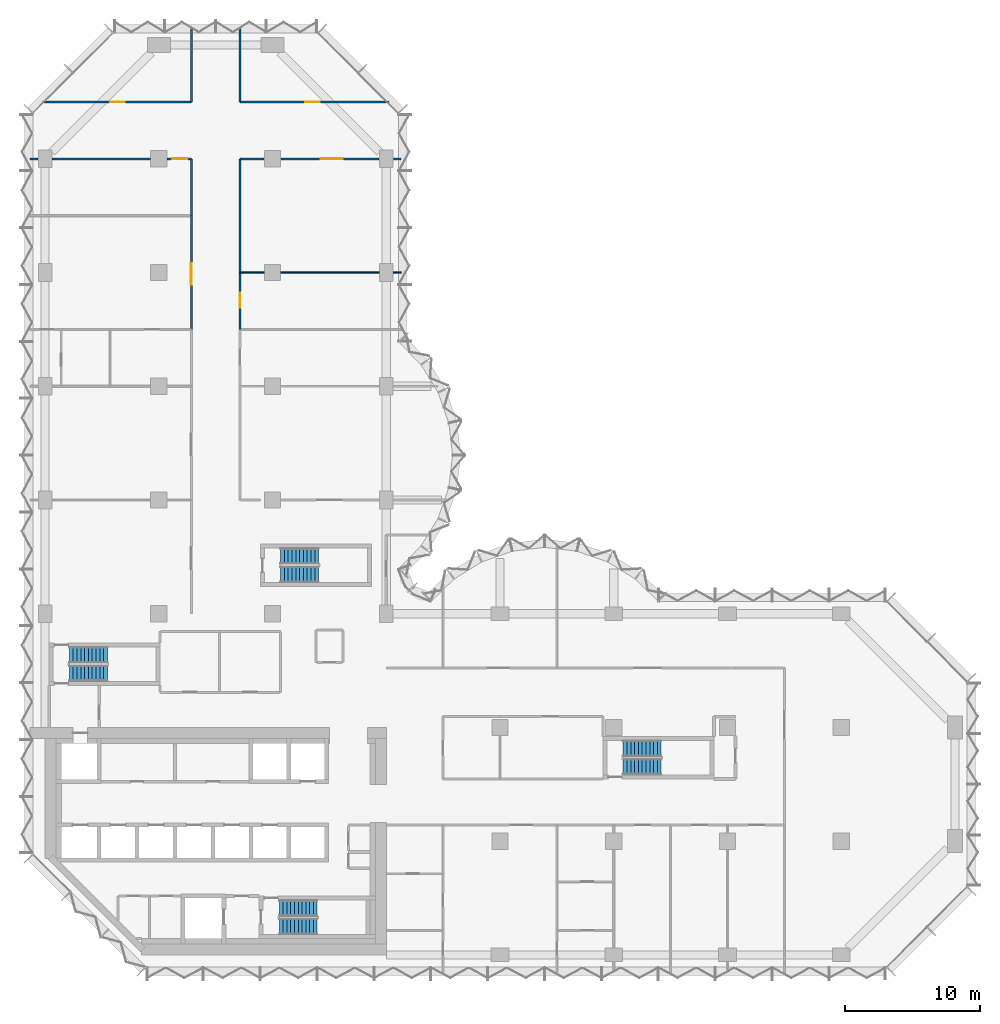
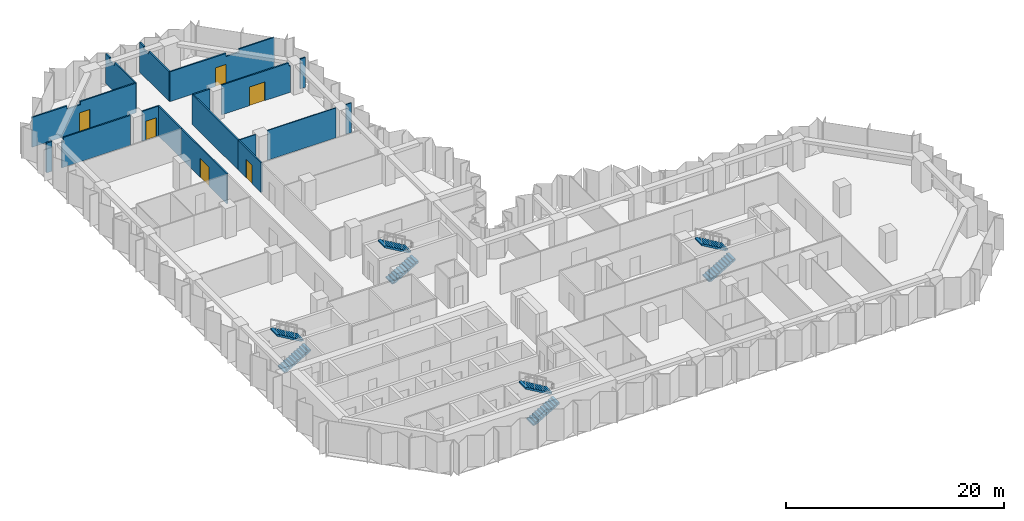
# One storey, part 11 of 13: 17 walls, 8 stair flights, 6 doors, 6 openings, 4 elements without a shape of their own.
"""IFC4 building model written with IfcOpenShell, lengths in metres."""

import ifcopenshell
import ifcopenshell.guid

model = None  # the IFC model being written
_history = None  # IfcOwnerHistory: only IFC2X3 demands one
_inside = {}  # id of a spatial element -> (the spatial element, [elements in it])
_under = {}  # id of a project, library or spatial element -> (it, [spatial elements below it])
_declared = {}  # id of a project -> (the project, [libraries it declares])
_typed = {}  # id of a type object -> (the type object, [elements of that type])
_made_of = {}  # id of a material, layer set ... -> (it, [elements and type objects made of it])


def new_model(schema):
    """Start an empty IFC model of exactly this schema.

    Asked for "IFC4X3", IfcOpenShell would pick the latest addendum, in which some entities
    have other attributes; the version numbers below select the first issue.
    IFC2X3 requires an IfcOwnerHistory on every rooted entity: one is made here for all.
    """
    global model, _history
    if schema == "IFC4X3":
        model = ifcopenshell.file(schema_version=(4, 3, 0, 0))
    else:
        model = ifcopenshell.file(schema=schema)
    _inside.clear()
    _under.clear()
    _declared.clear()
    _typed.clear()
    _made_of.clear()
    _history = None
    if model.schema == "IFC2X3":
        org = make("IfcOrganization", Name="unknown")
        user = make(
            "IfcPersonAndOrganization",
            ThePerson=make("IfcPerson", FamilyName="unknown"),
            TheOrganization=org,
        )
        app = make(
            "IfcApplication",
            ApplicationDeveloper=org,
            Version="unknown",
            ApplicationFullName="unknown",
            ApplicationIdentifier="unknown",
        )
        _history = make(
            "IfcOwnerHistory",
            OwningUser=user,
            OwningApplication=app,
            ChangeAction="ADDED",
            CreationDate=0,
        )
    return model


def make(cls, **values):
    """One entity of the class cls with the attributes given. An attribute that is None is left unset."""
    return model.create_entity(
        cls, **{name: value for name, value in values.items() if value is not None}
    )


def rooted(cls, **values):
    """An entity with a GlobalId (a new one), such as an element, a storey or a relation."""
    return make(cls, GlobalId=ifcopenshell.guid.new(), OwnerHistory=_history, **values)


def si_unit(unit_type, name, prefix=None):
    """IfcSIUnit, for example si_unit("LENGTHUNIT", "METRE", prefix="MILLI")."""
    return make("IfcSIUnit", UnitType=unit_type, Prefix=prefix, Name=name)


def assignment(units):
    """IfcUnitAssignment: the units of a project."""
    return None if units is None else make("IfcUnitAssignment", Units=units)


def point(xyz):
    """IfcCartesianPoint."""
    return None if xyz is None else make("IfcCartesianPoint", Coordinates=xyz)


def direction(xyz):
    """IfcDirection."""
    return None if xyz is None else make("IfcDirection", DirectionRatios=xyz)


def frame(location, z_axis=None, x_axis=None):
    """IfcAxis2Placement3D, a coordinate frame: its origin and axes. An axis left out is left unset."""
    return make(
        "IfcAxis2Placement3D",
        Location=point(location),
        Axis=direction(z_axis),
        RefDirection=direction(x_axis),
    )


def frame_2d(location, x_axis=None):
    """IfcAxis2Placement2D, a coordinate frame in the plane: its origin and x axis."""
    return make(
        "IfcAxis2Placement2D", Location=point(location), RefDirection=direction(x_axis)
    )


def origin():
    """The frame at (0, 0, 0) with its axes left unset."""
    return frame((0.0, 0.0, 0.0))


def place(relative_to, where):
    """IfcLocalPlacement: puts the frame where relative to a parent placement (None: the world)."""
    return make(
        "IfcLocalPlacement", PlacementRelTo=relative_to, RelativePlacement=where
    )


def context(
    kind, dimensions, precision=None, world=None, true_north=None, identifier=None
):
    """IfcGeometricRepresentationContext, for example the 3D "Model" context."""
    return make(
        "IfcGeometricRepresentationContext",
        ContextIdentifier=identifier,
        ContextType=kind,
        CoordinateSpaceDimension=dimensions,
        Precision=precision,
        WorldCoordinateSystem=world,
        TrueNorth=true_north,
    )


def subcontext(parent, identifier, kind, view, scale=None):
    """IfcGeometricRepresentationSubContext, for example "Body" below "Model"."""
    return make(
        "IfcGeometricRepresentationSubContext",
        ContextIdentifier=identifier,
        ContextType=kind,
        ParentContext=parent,
        TargetScale=scale,
        TargetView=view,
    )


def project(units=None, contexts=None):
    """IfcProject with its units and contexts."""
    return rooted(
        "IfcProject",
        Name="project",
        RepresentationContexts=contexts,
        UnitsInContext=assignment(units),
    )


def spatial(cls, under=None, at=None, **own):
    """A site, building, storey or space (cls), placed at a placement, below another one or the project."""
    s = rooted(cls, ObjectPlacement=at, **own)
    if under is not None:
        _under.setdefault(under.id(), (under, []))[1].append(s)
    return s


def polyline(points):
    """IfcPolyline through the points."""
    return make("IfcPolyline", Points=[point(p) for p in points])


def profile(cls, at=None, kind="AREA", **sizes):
    """A parametric profile (cls). Its sizes go by their IFC names, for example OverallWidth=200.0."""
    return make(cls, ProfileType=kind, Position=at, **sizes)


def rectangle(**sizes):
    """IfcRectangleProfileDef."""
    return profile("IfcRectangleProfileDef", **sizes)


def outline(outer, holes=None, kind="AREA"):
    """IfcArbitraryClosedProfileDef: a profile drawn as a closed curve; with holes, ...WithVoids."""
    if holes is None:
        return make("IfcArbitraryClosedProfileDef", ProfileType=kind, OuterCurve=outer)
    return make(
        "IfcArbitraryProfileDefWithVoids",
        ProfileType=kind,
        OuterCurve=outer,
        InnerCurves=holes,
    )


def extrude(swept, where, along, depth):
    """IfcExtrudedAreaSolid: the profile swept, set in the frame where, extruded along a direction by depth."""
    return make(
        "IfcExtrudedAreaSolid",
        SweptArea=swept,
        Position=where,
        ExtrudedDirection=direction(along),
        Depth=depth,
    )


def shape(context_of_items, identifier, shape_type, items):
    """IfcShapeRepresentation: the items that make up one representation, for example the "Body"."""
    return make(
        "IfcShapeRepresentation",
        ContextOfItems=context_of_items,
        RepresentationIdentifier=identifier,
        RepresentationType=shape_type,
        Items=items,
    )


def material(Name=None, Category=None):
    """IfcMaterial."""
    return make("IfcMaterial", Name=Name, Category=Category)


def layer(
    of_material, thickness, ventilated=None, Name=None, Category=None, Priority=None
):
    """IfcMaterialLayer: one layer of a wall or slab, of a material (None: an air gap)."""
    return make(
        "IfcMaterialLayer",
        Material=of_material,
        LayerThickness=thickness,
        IsVentilated=ventilated,
        Name=Name,
        Category=Category,
        Priority=Priority,
    )


def layer_set(layers, Name=None):
    """IfcMaterialLayerSet."""
    return make("IfcMaterialLayerSet", MaterialLayers=layers, LayerSetName=Name)


def made_of(thing, what):
    """Note that an element or type object is made of a material, layer set ...; save() writes the relation."""
    if what is not None:
        _made_of.setdefault(what.id(), (what, []))[1].append(thing)
    return thing


def type_object(cls, material=None, **own):
    """A type object (cls), such as IfcWallType, which elements share."""
    return made_of(rooted(cls, **own), material)


def element(
    cls,
    number,
    at=None,
    inside=None,
    cuts=None,
    type_object=None,
    material=None,
    context=None,
    identifier="Body",
    shape_type=None,
    held_by="IfcProductDefinitionShape",
    body=None,
    shapes=None,
    **own,
):
    """One element of the class cls, such as IfcWall. Its Tag is "e" and its number.

    at: its placement. inside: the storey or other place that contains it. cuts: it is an
    opening in that element (IfcRelVoidsElement). A single representation is given by context,
    identifier, shape_type and body (its items); several are given by shapes. held_by: the class
    of the entity that holds the representations. save() writes the other relations.
    """
    e = rooted(cls, Tag="e%d" % number, ObjectPlacement=at, **own)
    if body is not None:
        shapes = [shape(context, identifier, shape_type, body)]
    if shapes is not None:
        e.Representation = make(held_by, Representations=shapes)
    if inside is not None:
        _inside.setdefault(inside.id(), (inside, []))[1].append(e)
    if cuts is not None:
        rooted(
            "IfcRelVoidsElement", RelatingBuildingElement=cuts, RelatedOpeningElement=e
        )
    if type_object is not None:
        _typed.setdefault(type_object.id(), (type_object, []))[1].append(e)
    return made_of(e, material)


def fill(opening, filler):
    """IfcRelFillsElement: the door or window that sits in an opening."""
    return rooted(
        "IfcRelFillsElement",
        RelatingOpeningElement=opening,
        RelatedBuildingElement=filler,
    )


def aggregate(whole, parts):
    """IfcRelAggregates: a whole, such as a stair, and the parts it consists of."""
    return rooted("IfcRelAggregates", RelatingObject=whole, RelatedObjects=parts)


def save(model, path):
    """Write the relations noted so far, then the file.

    IfcRelAggregates (storeys below a building ...), IfcRelContainedInSpatialStructure (elements
    in a storey), IfcRelDefinesByType, IfcRelAssociatesMaterial and IfcRelDeclares: one each for
    every whole, place, type object, material and project.
    """
    for whole, parts in _under.values():
        aggregate(whole, parts)
    for where, things in _inside.values():
        rooted(
            "IfcRelContainedInSpatialStructure",
            RelatedElements=things,
            RelatingStructure=where,
        )
    for kind, things in _typed.values():
        rooted("IfcRelDefinesByType", RelatedObjects=things, RelatingType=kind)
    for what, things in _made_of.values():
        rooted("IfcRelAssociatesMaterial", RelatedObjects=things, RelatingMaterial=what)
    for by, libraries in _declared.values():
        rooted("IfcRelDeclares", RelatingContext=by, RelatedDefinitions=libraries)
    model.write(path)


model = new_model("IFC4")

# Units and contexts
model_context = context("Model", 3, precision=1e-05, world=origin(), true_north=direction((0.0, 1.0)))
body_context = subcontext(model_context, "Body", "Model", "MODEL_VIEW")
ifc_project = project(units=[si_unit("LENGTHUNIT", "METRE"), si_unit("AREAUNIT", "SQUARE_METRE"), si_unit("VOLUMEUNIT", "CUBIC_METRE"), si_unit("PLANEANGLEUNIT", "RADIAN"), si_unit("MASSUNIT", "GRAM", prefix="KILO")], contexts=[model_context])

# Site, building, storey
site_placement = place(None, origin())
site = spatial("IfcSite", under=ifc_project, at=site_placement, CompositionType="ELEMENT")
building_placement = place(site_placement, origin())
building = spatial("IfcBuilding", under=site, at=building_placement, Name="Brevane Broadcast Tower", CompositionType="ELEMENT")
storey_placement = place(building_placement, frame((0.0, 0.0, 109.699951171875)))
storey = spatial("IfcBuildingStorey", under=building, at=storey_placement, Name="L26", CompositionType="ELEMENT", Elevation=109.699951171875)

# Walls
ifc_material_1 = material(Name="Gypsum board partition")
ifc_layer_1 = layer(ifc_material_1, 0.10009765625)
ifc_layer_set_1 = layer_set([ifc_layer_1], Name="PARTITION 100 STUD")
wall_type_1 = type_object("IfcWallType", Name="PARTITION 100 STUD", PredefinedType="PARTITIONING", material=ifc_layer_set_1)
wall_1_placement = place(storey_placement, frame((14.39990234375, 50.39990234375, 0.0), z_axis=(0.0, 0.0, 1.0), x_axis=(1.0, 0.0, 0.0)))
element("IfcWall", 1, at=wall_1_placement, inside=storey, type_object=wall_type_1, Name="Partition G07-088", PredefinedType="PARTITIONING", context=body_context, shape_type="SweptSolid", body=[
    extrude(rectangle(XDim=1.780029296875, YDim=0.10009765625, at=frame_2d((0.89013671875, 0.0))), origin(), (0.0, 0.0, 1.0), 3.330078125),
])
wall_2_placement = place(storey_placement, frame((17.419921875, 50.39990234375, 0.0), z_axis=(0.0, 0.0, 1.0), x_axis=(1.0, 0.0, 0.0)))
element("IfcWall", 2, at=wall_2_placement, inside=storey, type_object=wall_type_1, Name="Partition G07-089", PredefinedType="PARTITIONING", context=body_context, shape_type="SweptSolid", body=[
    extrude(rectangle(XDim=7.260009765625, YDim=0.10009765625, at=frame_2d((3.6298828125, 0.0))), origin(), (0.0, 0.0, 1.0), 3.330078125),
])
wall_3_placement = place(storey_placement, frame((25.719970703125, 50.39990234375, 0.0), z_axis=(0.0, 0.0, 1.0), x_axis=(1.0, 0.0, 0.0)))
element("IfcWall", 3, at=wall_3_placement, inside=storey, type_object=wall_type_1, Name="Partition G07-090", PredefinedType="PARTITIONING", context=body_context, shape_type="SweptSolid", body=[
    extrude(rectangle(XDim=0.580078125, YDim=0.10009765625, at=frame_2d((0.2900390625, 0.0))), origin(), (0.0, 0.0, 1.0), 3.330078125),
])

# Wall, opening, door
ifc_layer_2 = layer(ifc_material_1, 0.14990234375)
ifc_layer_set_2 = layer_set([ifc_layer_2], Name="PARTITION 150 EI 60")
wall_type_2 = type_object("IfcWallType", Name="PARTITION 150 EI 60", PredefinedType="PARTITIONING", material=ifc_layer_set_2)
wall_4_placement = place(storey_placement, frame((10.800048828125, 46.199951171875, 0.0), z_axis=(0.0, 0.0, 1.0), x_axis=(0.0, 1.0, 0.0)))
wall_4 = element("IfcWall", 4, at=wall_4_placement, inside=storey, type_object=wall_type_2, Name="Partition G07-053", PredefinedType="PARTITIONING", context=body_context, shape_type="SweptSolid", body=[
    extrude(rectangle(XDim=8.400146484375, YDim=0.14990234375, at=frame_2d((4.2001953125, 0.0))), origin(), (0.0, 0.0, 1.0), 3.330078125),
])
opening_1_placement = place(wall_4_placement, frame((3.300048828125, 0.0, 0.0)))
opening_1 = element("IfcOpeningElement", 5, at=opening_1_placement, cuts=wall_4, Name="Opening D14-020", PredefinedType="OPENING", context=body_context, shape_type="SweptSolid", body=[
    extrude(rectangle(XDim=1.60009765625, YDim=2.10009765625, at=frame_2d((0.800048828125, 1.050048828125))), frame((0.0, 0.0849609375, 0.0), z_axis=(0.0, -1.0, 0.0), x_axis=(1.0, 0.0, 0.0)), (0.0, 0.0, 1.0), 0.169921875),
])
ifc_material_2 = material(Name="Fire-rated timber door leaf", Category="wood")
door_type_1 = type_object("IfcDoorType", Name="DOOR DOUBLE 1600 FD30S", OperationType="DOUBLE_DOOR_SINGLE_SWING", PredefinedType="DOOR", material=ifc_material_2)
door_1_placement = place(opening_1_placement, origin())
door_1 = element("IfcDoor", 6, at=door_1_placement, inside=storey, type_object=door_type_1, Name="Door D14-020", OperationType="DOUBLE_DOOR_SINGLE_SWING", OverallHeight=2.10009765625, OverallWidth=1.60009765625, PredefinedType="DOOR", context=body_context, shape_type="SweptSolid", body=[
    extrude(rectangle(XDim=1.60009765625, YDim=2.10009765625, at=frame_2d((0.800048828125, 1.050048828125))), frame((0.0, 0.02490234375, 0.0), z_axis=(0.0, -1.0, 0.0), x_axis=(1.0, 0.0, 0.0)), (0.0, 0.0, 1.0), 0.050048828125),
])
fill(opening_1, door_1)

# Walls
wall_5_placement = place(storey_placement, frame((10.800048828125, 54.60009765625, 0.0), z_axis=(0.0, 0.0, 1.0), x_axis=(0.0, 1.0, 0.0)))
element("IfcWall", 7, at=wall_5_placement, inside=storey, type_object=wall_type_2, Name="Partition G07-055", PredefinedType="PARTITIONING", context=body_context, shape_type="SweptSolid", body=[
    extrude(rectangle(XDim=4.199951171875, YDim=0.14990234375, at=frame_2d((2.10009765625, 0.0))), origin(), (0.0, 0.0, 1.0), 3.330078125),
])
wall_6_placement = place(storey_placement, frame((10.800048828125, 63.0, 0.0), z_axis=(0.0, 0.0, 1.0), x_axis=(0.0, 1.0, 0.0)))
element("IfcWall", 8, at=wall_6_placement, inside=storey, type_object=wall_type_2, Name="Partition G07-056", PredefinedType="PARTITIONING", context=body_context, shape_type="SweptSolid", body=[
    extrude(outline(polyline([(0.0, 0.0), (5.42333984375, 0.0), (5.42333984375, 3.330078125), (5.280029296875, 3.330078125), (4.64990234375, 3.330078125), (4.64794921875, 2.97998046875), (3.751953125, 2.97998046875), (3.75, 3.330078125), (0.0, 3.330078125), (0.0, 0.0)])), frame((0.0, 0.074951171875, 0.0), z_axis=(0.0, -1.0, 0.0), x_axis=(1.0, 0.0, 0.0)), (0.0, 0.0, 1.0), 0.14990234375),
])

# Wall, opening, door
wall_7_placement = place(storey_placement, frame((14.39990234375, 50.39990234375, 0.0), z_axis=(0.0, 0.0, 1.0), x_axis=(0.0, -1.0, 0.0)))
wall_7 = element("IfcWall", 9, at=wall_7_placement, inside=storey, type_object=wall_type_2, Name="Partition G07-059", PredefinedType="PARTITIONING", context=body_context, shape_type="SweptSolid", body=[
    extrude(rectangle(XDim=4.199951171875, YDim=0.14990234375, at=frame_2d((2.10009765625, 0.0))), origin(), (0.0, 0.0, 1.0), 3.330078125),
])
opening_2_placement = place(wall_7_placement, frame((1.5, 0.0, 0.0)))
opening_2 = element("IfcOpeningElement", 10, at=opening_2_placement, cuts=wall_7, Name="Opening D14-028", PredefinedType="OPENING", context=body_context, shape_type="SweptSolid", body=[
    extrude(rectangle(XDim=1.10009765625, YDim=2.10009765625, at=frame_2d((0.550048828125, 1.050048828125))), frame((0.0, 0.0849609375, 0.0), z_axis=(0.0, -1.0, 0.0), x_axis=(1.0, 0.0, 0.0)), (0.0, 0.0, 1.0), 0.169921875),
])
door_type_2 = type_object("IfcDoorType", Name="DOOR SINGLE 1100 FD30S", OperationType="SINGLE_SWING_LEFT", PredefinedType="DOOR", material=ifc_material_2)
door_2_placement = place(opening_2_placement, origin())
door_2 = element("IfcDoor", 11, at=door_2_placement, inside=storey, type_object=door_type_2, Name="Door D14-028", OperationType="SINGLE_SWING_LEFT", OverallHeight=2.10009765625, OverallWidth=1.10009765625, PredefinedType="DOOR", context=body_context, shape_type="SweptSolid", body=[
    extrude(rectangle(XDim=1.10009765625, YDim=2.10009765625, at=frame_2d((0.550048828125, 1.050048828125))), frame((0.0, 0.02490234375, 0.0), z_axis=(0.0, -1.0, 0.0), x_axis=(1.0, 0.0, 0.0)), (0.0, 0.0, 1.0), 0.050048828125),
])
fill(opening_2, door_2)

# Walls
wall_8_placement = place(storey_placement, frame((14.39990234375, 58.800048828125, 0.0), z_axis=(0.0, 0.0, 1.0), x_axis=(0.0, -1.0, 0.0)))
element("IfcWall", 12, at=wall_8_placement, inside=storey, type_object=wall_type_2, Name="Partition G07-060", PredefinedType="PARTITIONING", context=body_context, shape_type="SweptSolid", body=[
    extrude(rectangle(XDim=8.400146484375, YDim=0.14990234375, at=frame_2d((4.2001953125, 0.0))), origin(), (0.0, 0.0, 1.0), 3.330078125),
])
wall_9_placement = place(storey_placement, frame((14.39990234375, 68.42333984375, 0.0), z_axis=(0.0, 0.0, 1.0), x_axis=(0.0, -1.0, 0.0)))
element("IfcWall", 13, at=wall_9_placement, inside=storey, type_object=wall_type_2, Name="Partition G07-061", PredefinedType="PARTITIONING", context=body_context, shape_type="SweptSolid", body=[
    extrude(outline(polyline([(0.0, 0.0), (5.42333984375, 0.0), (5.42333984375, 3.330078125), (1.67333984375, 3.330078125), (1.67138671875, 2.97998046875), (0.775390625, 2.97998046875), (0.773193359375, 3.330078125), (0.143310546875, 3.330078125), (0.0, 3.330078125), (0.0, 0.0)])), frame((0.0, 0.074951171875, 0.0), z_axis=(0.0, -1.0, 0.0), x_axis=(1.0, 0.0, 0.0)), (0.0, 0.0, 1.0), 0.14990234375),
])

# Wall, opening, door
wall_10_placement = place(storey_placement, frame((10.800048828125, 58.800048828125, 0.0), z_axis=(0.0, 0.0, 1.0), x_axis=(-1.0, 0.0, 0.0)))
wall_10 = element("IfcWall", 14, at=wall_10_placement, inside=storey, type_object=wall_type_2, Name="Partition G07-062", PredefinedType="PARTITIONING", context=body_context, shape_type="SweptSolid", body=[
    extrude(rectangle(XDim=1.780029296875, YDim=0.14990234375, at=frame_2d((0.89013671875, 0.0))), origin(), (0.0, 0.0, 1.0), 3.330078125),
])
opening_3_placement = place(wall_10_placement, frame((0.300048828125, 0.0, 0.0)))
opening_3 = element("IfcOpeningElement", 15, at=opening_3_placement, cuts=wall_10, Name="Opening D14-024", PredefinedType="OPENING", context=body_context, shape_type="SweptSolid", body=[
    extrude(rectangle(XDim=1.10009765625, YDim=2.10009765625, at=frame_2d((0.550048828125, 1.050048828125))), frame((0.0, 0.0849609375, 0.0), z_axis=(0.0, -1.0, 0.0), x_axis=(1.0, 0.0, 0.0)), (0.0, 0.0, 1.0), 0.169921875),
])
door_3_placement = place(opening_3_placement, origin())
door_3 = element("IfcDoor", 16, at=door_3_placement, inside=storey, type_object=door_type_2, Name="Door D14-024", OperationType="SINGLE_SWING_LEFT", OverallHeight=2.10009765625, OverallWidth=1.10009765625, PredefinedType="DOOR", context=body_context, shape_type="SweptSolid", body=[
    extrude(rectangle(XDim=1.10009765625, YDim=2.10009765625, at=frame_2d((0.550048828125, 1.050048828125))), frame((0.0, 0.02490234375, 0.0), z_axis=(0.0, -1.0, 0.0), x_axis=(1.0, 0.0, 0.0)), (0.0, 0.0, 1.0), 0.050048828125),
])
fill(opening_3, door_3)

# Walls
wall_11_placement = place(storey_placement, frame((7.780029296875, 58.800048828125, 0.0), z_axis=(0.0, 0.0, 1.0), x_axis=(-1.0, 0.0, 0.0)))
element("IfcWall", 17, at=wall_11_placement, inside=storey, type_object=wall_type_2, Name="Partition G07-063", PredefinedType="PARTITIONING", context=body_context, shape_type="SweptSolid", body=[
    extrude(outline(polyline([(0.0, 0.0), (7.260009765625, 0.0), (7.260009765625, 2.97998046875), (7.09130859375, 2.97998046875), (7.08935546875, 3.330078125), (0.0, 3.330078125), (0.0, 0.0)])), frame((0.0, 0.074951171875, 0.0), z_axis=(0.0, -1.0, 0.0), x_axis=(1.0, 0.0, 0.0)), (0.0, 0.0, 1.0), 0.14990234375),
])
wall_12_placement = place(storey_placement, frame((-0.52001953125, 58.800048828125, 0.0), z_axis=(0.0, 0.0, 1.0), x_axis=(-1.0, 0.0, 0.0)))
element("IfcWall", 18, at=wall_12_placement, inside=storey, type_object=wall_type_2, Name="Partition G07-064", PredefinedType="PARTITIONING", context=body_context, shape_type="SweptSolid", body=[
    extrude(rectangle(XDim=0.580078125, YDim=0.14990234375, at=frame_2d((0.2900390625, 0.0))), origin(), (0.0, 0.0, 1.0), 3.330078125),
])

# Wall, opening, door
wall_13_placement = place(storey_placement, frame((-0.199951171875, 63.0, 0.0), z_axis=(0.0, 0.0, 1.0), x_axis=(1.0, 0.0, 0.0)))
wall_13 = element("IfcWall", 19, at=wall_13_placement, inside=storey, type_object=wall_type_2, Name="Partition G07-065", PredefinedType="PARTITIONING", context=body_context, shape_type="SweptSolid", body=[
    extrude(outline(polyline([(0.0, 0.0), (11.0, 0.0), (11.0, 3.330078125), (5.090576171875, 3.330078125), (5.088623046875, 2.97998046875), (3.71142578125, 2.97998046875), (3.709228515625, 3.330078125), (0.0, 3.330078125), (0.0, 0.0)])), frame((0.0, 0.074951171875, 0.0), z_axis=(0.0, -1.0, 0.0), x_axis=(1.0, 0.0, 0.0)), (0.0, 0.0, 1.0), 0.14990234375),
])
opening_4_placement = place(wall_13_placement, frame((5.0, 0.0, 0.0)))
opening_4 = element("IfcOpeningElement", 20, at=opening_4_placement, cuts=wall_13, Name="Opening D14-025", PredefinedType="OPENING", context=body_context, shape_type="SweptSolid", body=[
    extrude(rectangle(XDim=1.10009765625, YDim=2.10009765625, at=frame_2d((0.550048828125, 1.050048828125))), frame((0.0, 0.0849609375, 0.0), z_axis=(0.0, -1.0, 0.0), x_axis=(1.0, 0.0, 0.0)), (0.0, 0.0, 1.0), 0.169921875),
])
door_4_placement = place(opening_4_placement, origin())
door_4 = element("IfcDoor", 21, at=door_4_placement, inside=storey, type_object=door_type_2, Name="Door D14-025", OperationType="SINGLE_SWING_LEFT", OverallHeight=2.10009765625, OverallWidth=1.10009765625, PredefinedType="DOOR", context=body_context, shape_type="SweptSolid", body=[
    extrude(rectangle(XDim=1.10009765625, YDim=2.10009765625, at=frame_2d((0.550048828125, 1.050048828125))), frame((0.0, 0.02490234375, 0.0), z_axis=(0.0, -1.0, 0.0), x_axis=(1.0, 0.0, 0.0)), (0.0, 0.0, 1.0), 0.050048828125),
])
fill(opening_4, door_4)

# Wall
wall_14_placement = place(storey_placement, frame((26.300048828125, 58.800048828125, 0.0), z_axis=(0.0, 0.0, 1.0), x_axis=(-1.0, 0.0, 0.0)))
element("IfcWall", 22, at=wall_14_placement, inside=storey, type_object=wall_type_2, Name="Partition G07-080", PredefinedType="PARTITIONING", context=body_context, shape_type="SweptSolid", body=[
    extrude(rectangle(XDim=0.580078125, YDim=0.14990234375, at=frame_2d((0.2900390625, 0.0))), origin(), (0.0, 0.0, 1.0), 3.330078125),
])

# Wall, opening, door
wall_15_placement = place(storey_placement, frame((24.679931640625, 58.800048828125, 0.0), z_axis=(0.0, 0.0, 1.0), x_axis=(-1.0, 0.0, 0.0)))
wall_15 = element("IfcWall", 23, at=wall_15_placement, inside=storey, type_object=wall_type_2, Name="Partition G07-081", PredefinedType="PARTITIONING", context=body_context, shape_type="SweptSolid", body=[
    extrude(outline(polyline([(0.0, 0.0), (7.260009765625, 0.0), (7.260009765625, 3.330078125), (0.170654296875, 3.330078125), (0.168701171875, 2.97998046875), (0.0, 2.97998046875), (0.0, 0.0)])), frame((0.0, 0.074951171875, 0.0), z_axis=(0.0, -1.0, 0.0), x_axis=(1.0, 0.0, 0.0)), (0.0, 0.0, 1.0), 0.14990234375),
])
opening_5_placement = place(wall_15_placement, frame((2.699951171875, 0.0, 0.0)))
opening_5 = element("IfcOpeningElement", 24, at=opening_5_placement, cuts=wall_15, Name="Opening D14-029", PredefinedType="OPENING", context=body_context, shape_type="SweptSolid", body=[
    extrude(rectangle(XDim=1.60009765625, YDim=2.10009765625, at=frame_2d((0.800048828125, 1.050048828125))), frame((0.0, 0.0849609375, 0.0), z_axis=(0.0, -1.0, 0.0), x_axis=(1.0, 0.0, 0.0)), (0.0, 0.0, 1.0), 0.169921875),
])
door_5_placement = place(opening_5_placement, origin())
door_5 = element("IfcDoor", 25, at=door_5_placement, inside=storey, type_object=door_type_1, Name="Door D14-029", OperationType="DOUBLE_DOOR_SINGLE_SWING", OverallHeight=2.10009765625, OverallWidth=1.60009765625, PredefinedType="DOOR", context=body_context, shape_type="SweptSolid", body=[
    extrude(rectangle(XDim=1.60009765625, YDim=2.10009765625, at=frame_2d((0.800048828125, 1.050048828125))), frame((0.0, 0.02490234375, 0.0), z_axis=(0.0, -1.0, 0.0), x_axis=(1.0, 0.0, 0.0)), (0.0, 0.0, 1.0), 0.050048828125),
])
fill(opening_5, door_5)

# Wall
wall_16_placement = place(storey_placement, frame((16.179931640625, 58.800048828125, 0.0), z_axis=(0.0, 0.0, 1.0), x_axis=(-1.0, 0.0, 0.0)))
element("IfcWall", 26, at=wall_16_placement, inside=storey, type_object=wall_type_2, Name="Partition G07-082", PredefinedType="PARTITIONING", context=body_context, shape_type="SweptSolid", body=[
    extrude(rectangle(XDim=1.780029296875, YDim=0.14990234375, at=frame_2d((0.89013671875, 0.0))), origin(), (0.0, 0.0, 1.0), 3.330078125),
])

# Wall, opening, door
wall_17_placement = place(storey_placement, frame((14.39990234375, 63.0, 0.0), z_axis=(0.0, 0.0, 1.0), x_axis=(1.0, 0.0, 0.0)))
wall_17 = element("IfcWall", 27, at=wall_17_placement, inside=storey, type_object=wall_type_2, Name="Partition G07-083", PredefinedType="PARTITIONING", context=body_context, shape_type="SweptSolid", body=[
    extrude(outline(polyline([(0.0, 0.0), (11.0, 0.0), (11.0, 3.330078125), (7.290771484375, 3.330078125), (7.28857421875, 2.97998046875), (5.911376953125, 2.97998046875), (5.909423828125, 3.330078125), (0.0, 3.330078125), (0.0, 0.0)])), frame((0.0, 0.074951171875, 0.0), z_axis=(0.0, -1.0, 0.0), x_axis=(1.0, 0.0, 0.0)), (0.0, 0.0, 1.0), 0.14990234375),
])
opening_6_placement = place(wall_17_placement, frame((4.800048828125, 0.0, 0.0)))
opening_6 = element("IfcOpeningElement", 28, at=opening_6_placement, cuts=wall_17, Name="Opening D14-030", PredefinedType="OPENING", context=body_context, shape_type="SweptSolid", body=[
    extrude(rectangle(XDim=1.10009765625, YDim=2.10009765625, at=frame_2d((0.550048828125, 1.050048828125))), frame((0.0, 0.0849609375, 0.0), z_axis=(0.0, -1.0, 0.0), x_axis=(1.0, 0.0, 0.0)), (0.0, 0.0, 1.0), 0.169921875),
])
door_6_placement = place(opening_6_placement, origin())
door_6 = element("IfcDoor", 29, at=door_6_placement, inside=storey, type_object=door_type_2, Name="Door D14-030", OperationType="SINGLE_SWING_LEFT", OverallHeight=2.10009765625, OverallWidth=1.10009765625, PredefinedType="DOOR", context=body_context, shape_type="SweptSolid", body=[
    extrude(rectangle(XDim=1.10009765625, YDim=2.10009765625, at=frame_2d((0.550048828125, 1.050048828125))), frame((0.0, 0.02490234375, 0.0), z_axis=(0.0, -1.0, 0.0), x_axis=(1.0, 0.0, 0.0)), (0.0, 0.0, 1.0), 0.050048828125),
])
fill(opening_6, door_6)

# Stair, stair flights
ifc_material_3 = material(Name="Concrete C50/60", Category="concrete")
stair_type = type_object("IfcStairType", Name="Exit stair 22 risers", PredefinedType="HALF_TURN_STAIR", material=ifc_material_3)
stair_1_placement = place(storey_placement, origin())
stair_1 = element("IfcStair", 30, at=stair_1_placement, inside=storey, type_object=stair_type, Name="L26 Exit stair ST-1", PredefinedType="HALF_TURN_STAIR")
stair_flight_type = type_object("IfcStairFlightType", Name="Exit stair flight 22 risers", PredefinedType="STRAIGHT", material=ifc_material_3)
stair_flight_1_placement = place(storey_placement, frame((1.800048828125, 20.800048828125, 0.0), z_axis=(0.0, 0.0, 1.0), x_axis=(1.0, 0.0, 0.0)))
stair_flight_1 = element("IfcStairFlight", 31, at=stair_flight_1_placement, type_object=stair_flight_type, Name="ST-1 flight 1", NumberOfRisers=11, NumberOfTreads=10, PredefinedType="STRAIGHT", RiserHeight=0.163636364, TreadLength=0.28, context=body_context, shape_type="SweptSolid", body=[
    extrude(outline(polyline([(0.0, 0.0), (0.0, 0.16357421875), (0.280029296875, 0.16357421875), (0.280029296875, 0.327392578125), (0.56005859375, 0.327392578125), (0.56005859375, 0.490966796875), (0.840087890625, 0.490966796875), (0.840087890625, 0.654541015625), (1.1201171875, 0.654541015625), (1.1201171875, 0.818115234375), (1.39990234375, 0.818115234375), (1.39990234375, 0.98193359375), (1.679931640625, 0.98193359375), (1.679931640625, 1.1455078125), (1.9599609375, 1.1455078125), (1.9599609375, 1.30908203125), (2.239990234375, 1.30908203125), (2.239990234375, 1.47265625), (2.52001953125, 1.47265625), (2.52001953125, 1.636474609375), (2.800048828125, 1.636474609375), (2.800048828125, 1.800048828125), (2.800048828125, 1.462646484375), (0.297119140625, 0.0), (0.0, 0.0)])), frame((0.0, 0.60009765625, 0.0), z_axis=(0.0, -1.0, 0.0), x_axis=(1.0, 0.0, 0.0)), (0.0, 0.0, 1.0), 1.199951171875),
])
stair_flight_2_placement = place(storey_placement, frame((4.60009765625, 22.14990234375, 1.800048828125), z_axis=(0.0, 0.0, 1.0), x_axis=(-1.0, 0.0, 0.0)))
stair_flight_2 = element("IfcStairFlight", 32, at=stair_flight_2_placement, type_object=stair_flight_type, Name="ST-1 flight 2", NumberOfRisers=11, NumberOfTreads=10, PredefinedType="STRAIGHT", RiserHeight=0.163636364, TreadLength=0.28, context=body_context, shape_type="SweptSolid", body=[
    extrude(outline(polyline([(0.0, 0.0), (0.0, 0.16357421875), (0.280029296875, 0.16357421875), (0.280029296875, 0.327392578125), (0.56005859375, 0.327392578125), (0.56005859375, 0.490966796875), (0.840087890625, 0.490966796875), (0.840087890625, 0.654541015625), (1.1201171875, 0.654541015625), (1.1201171875, 0.818115234375), (1.39990234375, 0.818115234375), (1.39990234375, 0.98193359375), (1.679931640625, 0.98193359375), (1.679931640625, 1.1455078125), (1.9599609375, 1.1455078125), (1.9599609375, 1.30908203125), (2.239990234375, 1.30908203125), (2.239990234375, 1.47265625), (2.52001953125, 1.47265625), (2.52001953125, 1.636474609375), (2.800048828125, 1.636474609375), (2.800048828125, 1.800048828125), (2.800048828125, 1.462646484375), (0.297119140625, 0.0), (0.0, 0.0)])), frame((0.0, 0.60009765625, 0.0), z_axis=(0.0, -1.0, 0.0), x_axis=(1.0, 0.0, 0.0)), (0.0, 0.0, 1.0), 1.199951171875),
])
aggregate(stair_1, [stair_flight_1, stair_flight_2])

stair_2_placement = place(storey_placement, origin())
stair_2 = element("IfcStair", 33, at=stair_2_placement, inside=storey, type_object=stair_type, Name="L26 Exit stair ST-2", PredefinedType="HALF_TURN_STAIR")
stair_flight_3_placement = place(storey_placement, frame((17.300048828125, 2.10009765625, 0.0), z_axis=(0.0, 0.0, 1.0), x_axis=(1.0, 0.0, 0.0)))
stair_flight_3 = element("IfcStairFlight", 34, at=stair_flight_3_placement, type_object=stair_flight_type, Name="ST-2 flight 1", NumberOfRisers=11, NumberOfTreads=10, PredefinedType="STRAIGHT", RiserHeight=0.163636364, TreadLength=0.28, context=body_context, shape_type="SweptSolid", body=[
    extrude(outline(polyline([(0.0, 0.0), (0.0, 0.16357421875), (0.280029296875, 0.16357421875), (0.280029296875, 0.327392578125), (0.56005859375, 0.327392578125), (0.56005859375, 0.490966796875), (0.840087890625, 0.490966796875), (0.840087890625, 0.654541015625), (1.1201171875, 0.654541015625), (1.1201171875, 0.818115234375), (1.39990234375, 0.818115234375), (1.39990234375, 0.98193359375), (1.679931640625, 0.98193359375), (1.679931640625, 1.1455078125), (1.9599609375, 1.1455078125), (1.9599609375, 1.30908203125), (2.239990234375, 1.30908203125), (2.239990234375, 1.47265625), (2.52001953125, 1.47265625), (2.52001953125, 1.636474609375), (2.800048828125, 1.636474609375), (2.800048828125, 1.800048828125), (2.800048828125, 1.462646484375), (0.297119140625, 0.0), (0.0, 0.0)])), frame((0.0, 0.60009765625, 0.0), z_axis=(0.0, -1.0, 0.0), x_axis=(1.0, 0.0, 0.0)), (0.0, 0.0, 1.0), 1.199951171875),
])
stair_flight_4_placement = place(storey_placement, frame((20.10009765625, 3.449951171875, 1.800048828125), z_axis=(0.0, 0.0, 1.0), x_axis=(-1.0, 0.0, 0.0)))
stair_flight_4 = element("IfcStairFlight", 35, at=stair_flight_4_placement, type_object=stair_flight_type, Name="ST-2 flight 2", NumberOfRisers=11, NumberOfTreads=10, PredefinedType="STRAIGHT", RiserHeight=0.163636364, TreadLength=0.28, context=body_context, shape_type="SweptSolid", body=[
    extrude(outline(polyline([(0.0, 0.0), (0.0, 0.16357421875), (0.280029296875, 0.16357421875), (0.280029296875, 0.327392578125), (0.56005859375, 0.327392578125), (0.56005859375, 0.490966796875), (0.840087890625, 0.490966796875), (0.840087890625, 0.654541015625), (1.1201171875, 0.654541015625), (1.1201171875, 0.818115234375), (1.39990234375, 0.818115234375), (1.39990234375, 0.98193359375), (1.679931640625, 0.98193359375), (1.679931640625, 1.1455078125), (1.9599609375, 1.1455078125), (1.9599609375, 1.30908203125), (2.239990234375, 1.30908203125), (2.239990234375, 1.47265625), (2.52001953125, 1.47265625), (2.52001953125, 1.636474609375), (2.800048828125, 1.636474609375), (2.800048828125, 1.800048828125), (2.800048828125, 1.462646484375), (0.297119140625, 0.0), (0.0, 0.0)])), frame((0.0, 0.60009765625, 0.0), z_axis=(0.0, -1.0, 0.0), x_axis=(1.0, 0.0, 0.0)), (0.0, 0.0, 1.0), 1.199951171875),
])
aggregate(stair_2, [stair_flight_3, stair_flight_4])

stair_3_placement = place(storey_placement, origin())
stair_3 = element("IfcStair", 36, at=stair_3_placement, inside=storey, type_object=stair_type, Name="L26 Exit stair ST-3", PredefinedType="HALF_TURN_STAIR")
stair_flight_5_placement = place(storey_placement, frame((17.39990234375, 28.10009765625, 0.0), z_axis=(0.0, 0.0, 1.0), x_axis=(1.0, 0.0, 0.0)))
stair_flight_5 = element("IfcStairFlight", 37, at=stair_flight_5_placement, type_object=stair_flight_type, Name="ST-3 flight 1", NumberOfRisers=11, NumberOfTreads=10, PredefinedType="STRAIGHT", RiserHeight=0.163636364, TreadLength=0.28, context=body_context, shape_type="SweptSolid", body=[
    extrude(outline(polyline([(0.0, 0.0), (0.0, 0.16357421875), (0.280029296875, 0.16357421875), (0.280029296875, 0.327392578125), (0.56005859375, 0.327392578125), (0.56005859375, 0.490966796875), (0.840087890625, 0.490966796875), (0.840087890625, 0.654541015625), (1.1201171875, 0.654541015625), (1.1201171875, 0.818115234375), (1.39990234375, 0.818115234375), (1.39990234375, 0.98193359375), (1.679931640625, 0.98193359375), (1.679931640625, 1.1455078125), (1.9599609375, 1.1455078125), (1.9599609375, 1.30908203125), (2.239990234375, 1.30908203125), (2.239990234375, 1.47265625), (2.52001953125, 1.47265625), (2.52001953125, 1.636474609375), (2.800048828125, 1.636474609375), (2.800048828125, 1.800048828125), (2.800048828125, 1.462646484375), (0.297119140625, 0.0), (0.0, 0.0)])), frame((0.0, 0.60009765625, 0.0), z_axis=(0.0, -1.0, 0.0), x_axis=(1.0, 0.0, 0.0)), (0.0, 0.0, 1.0), 1.199951171875),
])
stair_flight_6_placement = place(storey_placement, frame((20.199951171875, 29.449951171875, 1.800048828125), z_axis=(0.0, 0.0, 1.0), x_axis=(-1.0, 0.0, 0.0)))
stair_flight_6 = element("IfcStairFlight", 38, at=stair_flight_6_placement, type_object=stair_flight_type, Name="ST-3 flight 2", NumberOfRisers=11, NumberOfTreads=10, PredefinedType="STRAIGHT", RiserHeight=0.163636364, TreadLength=0.28, context=body_context, shape_type="SweptSolid", body=[
    extrude(outline(polyline([(0.0, 0.0), (0.0, 0.16357421875), (0.280029296875, 0.16357421875), (0.280029296875, 0.327392578125), (0.56005859375, 0.327392578125), (0.56005859375, 0.490966796875), (0.840087890625, 0.490966796875), (0.840087890625, 0.654541015625), (1.1201171875, 0.654541015625), (1.1201171875, 0.818115234375), (1.39990234375, 0.818115234375), (1.39990234375, 0.98193359375), (1.679931640625, 0.98193359375), (1.679931640625, 1.1455078125), (1.9599609375, 1.1455078125), (1.9599609375, 1.30908203125), (2.239990234375, 1.30908203125), (2.239990234375, 1.47265625), (2.52001953125, 1.47265625), (2.52001953125, 1.636474609375), (2.800048828125, 1.636474609375), (2.800048828125, 1.800048828125), (2.800048828125, 1.462646484375), (0.297119140625, 0.0), (0.0, 0.0)])), frame((0.0, 0.60009765625, 0.0), z_axis=(0.0, -1.0, 0.0), x_axis=(1.0, 0.0, 0.0)), (0.0, 0.0, 1.0), 1.199951171875),
])
aggregate(stair_3, [stair_flight_5, stair_flight_6])

stair_4_placement = place(storey_placement, origin())
stair_4 = element("IfcStair", 39, at=stair_4_placement, inside=storey, type_object=stair_type, Name="L26 Exit stair ST-4", PredefinedType="HALF_TURN_STAIR")
stair_flight_7_placement = place(storey_placement, frame((42.699951171875, 13.89990234375, 0.0), z_axis=(0.0, 0.0, 1.0), x_axis=(1.0, 0.0, 0.0)))
stair_flight_7 = element("IfcStairFlight", 40, at=stair_flight_7_placement, type_object=stair_flight_type, Name="ST-4 flight 1", NumberOfRisers=11, NumberOfTreads=10, PredefinedType="STRAIGHT", RiserHeight=0.163636364, TreadLength=0.28, context=body_context, shape_type="SweptSolid", body=[
    extrude(outline(polyline([(0.0, 0.0), (0.0, 0.16357421875), (0.280029296875, 0.16357421875), (0.280029296875, 0.327392578125), (0.56005859375, 0.327392578125), (0.56005859375, 0.490966796875), (0.840087890625, 0.490966796875), (0.840087890625, 0.654541015625), (1.1201171875, 0.654541015625), (1.1201171875, 0.818115234375), (1.39990234375, 0.818115234375), (1.39990234375, 0.98193359375), (1.679931640625, 0.98193359375), (1.679931640625, 1.1455078125), (1.9599609375, 1.1455078125), (1.9599609375, 1.30908203125), (2.239990234375, 1.30908203125), (2.239990234375, 1.47265625), (2.52001953125, 1.47265625), (2.52001953125, 1.636474609375), (2.800048828125, 1.636474609375), (2.800048828125, 1.800048828125), (2.800048828125, 1.462646484375), (0.297119140625, 0.0), (0.0, 0.0)])), frame((0.0, 0.60009765625, 0.0), z_axis=(0.0, -1.0, 0.0), x_axis=(1.0, 0.0, 0.0)), (0.0, 0.0, 1.0), 1.199951171875),
])
stair_flight_8_placement = place(storey_placement, frame((45.5, 15.25, 1.800048828125), z_axis=(0.0, 0.0, 1.0), x_axis=(-1.0, 0.0, 0.0)))
stair_flight_8 = element("IfcStairFlight", 41, at=stair_flight_8_placement, type_object=stair_flight_type, Name="ST-4 flight 2", NumberOfRisers=11, NumberOfTreads=10, PredefinedType="STRAIGHT", RiserHeight=0.163636364, TreadLength=0.28, context=body_context, shape_type="SweptSolid", body=[
    extrude(outline(polyline([(0.0, 0.0), (0.0, 0.16357421875), (0.280029296875, 0.16357421875), (0.280029296875, 0.327392578125), (0.56005859375, 0.327392578125), (0.56005859375, 0.490966796875), (0.840087890625, 0.490966796875), (0.840087890625, 0.654541015625), (1.1201171875, 0.654541015625), (1.1201171875, 0.818115234375), (1.39990234375, 0.818115234375), (1.39990234375, 0.98193359375), (1.679931640625, 0.98193359375), (1.679931640625, 1.1455078125), (1.9599609375, 1.1455078125), (1.9599609375, 1.30908203125), (2.239990234375, 1.30908203125), (2.239990234375, 1.47265625), (2.52001953125, 1.47265625), (2.52001953125, 1.636474609375), (2.800048828125, 1.636474609375), (2.800048828125, 1.800048828125), (2.800048828125, 1.462646484375), (0.297119140625, 0.0), (0.0, 0.0)])), frame((0.0, 0.60009765625, 0.0), z_axis=(0.0, -1.0, 0.0), x_axis=(1.0, 0.0, 0.0)), (0.0, 0.0, 1.0), 1.199951171875),
])
aggregate(stair_4, [stair_flight_7, stair_flight_8])

save(model, "model.ifc")
